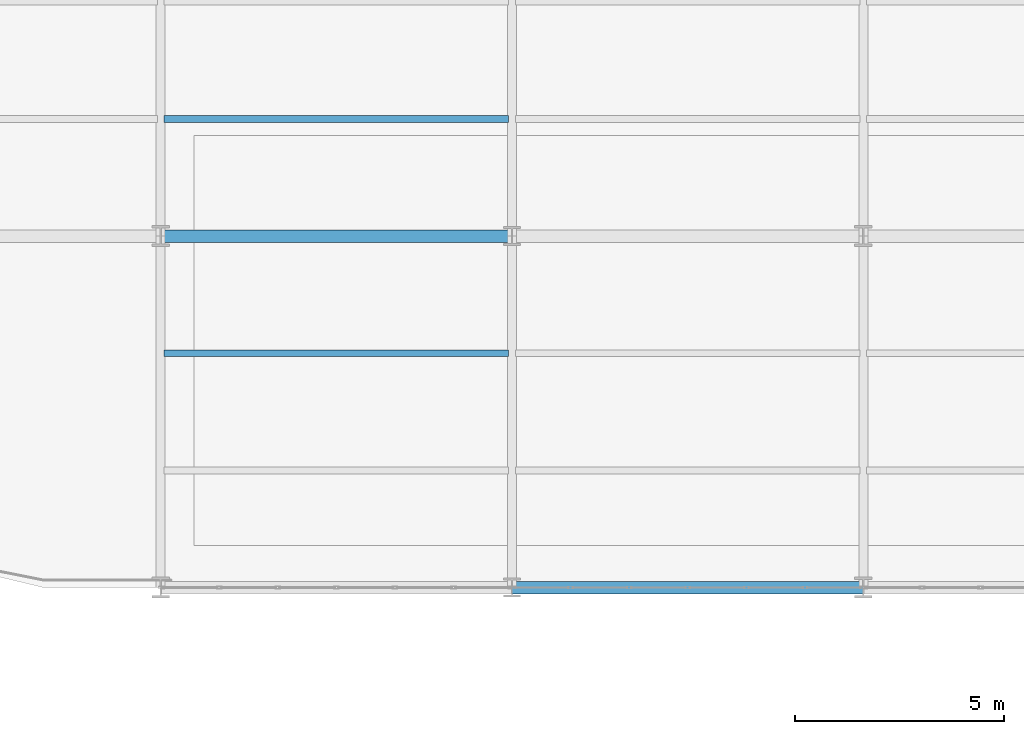
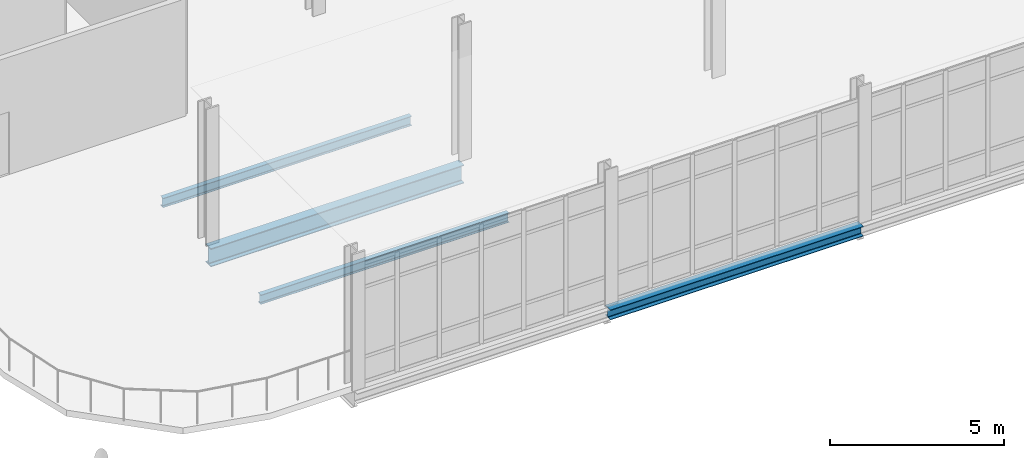
# One storey, part 74 of 145: 4 beams.
"""IFC4 building model written with IfcOpenShell, lengths in metres."""

from ifc_helpers import new_model, si_unit, direction, frame, origin, origin_2d, place, context, subcontext, project, spatial, i_section, extrude, material, material_profile, profile_set, type_object, element, save


model = new_model("IFC4")

# Units and contexts
model_context = context("Model", 3, precision=1e-05, world=origin(), true_north=direction((0.0, 1.0)))
body_context = subcontext(model_context, "Body", "Model", "MODEL_VIEW")
ifc_project = project(units=[si_unit("LENGTHUNIT", "METRE"), si_unit("AREAUNIT", "SQUARE_METRE"), si_unit("VOLUMEUNIT", "CUBIC_METRE"), si_unit("PLANEANGLEUNIT", "RADIAN"), si_unit("MASSUNIT", "GRAM", prefix="KILO")], contexts=[model_context])

# Site, building, storey
site_placement = place(None, origin())
site = spatial("IfcSite", under=ifc_project, at=site_placement, CompositionType="ELEMENT")
building_placement = place(site_placement, origin())
building = spatial("IfcBuilding", under=site, at=building_placement, Name="Qalvenar Corner Mobility Hub", CompositionType="ELEMENT")
storey_placement = place(building_placement, origin())
storey = spatial("IfcBuildingStorey", under=building, at=storey_placement, Name="L00", CompositionType="ELEMENT", Elevation=0.0)

# Beams
ifc_material = material(Name="Steel S355", Category="steel")
ifc_material_profile_1 = material_profile(ifc_material, i_section(OverallWidth=0.300048828125, OverallDepth=0.639892578125, WebThickness=0.013427734375, FlangeThickness=0.02587890625, FilletRadius=0.027099609375, at=origin_2d()), Name="HEA650")
ifc_profile_set_1 = profile_set([ifc_material_profile_1], Name="Steel S355")
beam_type_1 = type_object("IfcBeamType", Name="BM-HEA650", PredefinedType="BEAM", material=ifc_profile_set_1)
beam_1_placement = place(storey_placement, frame((67.199951171875, 75.60009765625, -0.5400390625), z_axis=(1.0, 0.0, 0.0), x_axis=(0.0, 1.0, 0.0)))
element("IfcBeam", 1, at=beam_1_placement, inside=storey, type_object=beam_type_1, Name="Primary Steel Girder GX-0532", PredefinedType="BEAM", context=body_context, shape_type="SweptSolid", body=[
    extrude(i_section(OverallWidth=0.300048828125, OverallDepth=0.639892578125, WebThickness=0.013427734375, FlangeThickness=0.02587890625, FilletRadius=0.027099609375, at=origin_2d()), origin(), (0.0, 0.0, 1.0), 8.400146484375),
])
ifc_material_profile_2 = material_profile(ifc_material, i_section(OverallWidth=0.159912109375, OverallDepth=0.330078125, WebThickness=0.007568359375, FlangeThickness=0.011474609375, FilletRadius=0.01806640625, at=origin_2d()), Name="IPE330")
ifc_profile_set_2 = profile_set([ifc_material_profile_2], Name="Steel S355")
beam_type_2 = type_object("IfcBeamType", Name="BM-JST330", PredefinedType="JOIST", material=ifc_profile_set_2)
for number, where, z_axis, x_axis, name in (
    (2, (67.278076171875, 72.800048828125, -0.385009765625), (1.0, 0.0, 0.0), (0.0, 1.0, 0.0), "Composite Floor Joist J-0658"),
    (3, (67.278076171875, 78.39990234375, -0.385009765625), (1.0, 0.0, 0.0), (0.0, 1.0, 0.0), "Composite Floor Joist J-0659"),
):
    element("IfcBeam", number, at=place(storey_placement, frame(where, z_axis=z_axis, x_axis=x_axis)), inside=storey, type_object=beam_type_2, Name=name, PredefinedType="JOIST", context=body_context, shape_type="SweptSolid", body=[
        extrude(i_section(OverallWidth=0.159912109375, OverallDepth=0.330078125, WebThickness=0.007568359375, FlangeThickness=0.011474609375, FilletRadius=0.01806640625, at=origin_2d()), origin(), (0.0, 0.0, 1.0), 8.243896484375),
    ])
ifc_material_profile_3 = material_profile(ifc_material, i_section(OverallWidth=0.300048828125, OverallDepth=0.35009765625, WebThickness=0.010009765625, FlangeThickness=0.017578125, FilletRadius=0.027099609375, at=origin_2d()), Name="HEA360")
ifc_profile_set_3 = profile_set([ifc_material_profile_3], Name="Steel S355")
beam_type_3 = type_object("IfcBeamType", Name="BM-SPN360", PredefinedType="SPANDREL", material=ifc_profile_set_3)
beam_2_placement = place(storey_placement, frame((75.60009765625, 67.199951171875, -0.39501953125), z_axis=(1.0, 0.0, 0.0), x_axis=(0.0, 1.0, 0.0)))
element("IfcBeam", 4, at=beam_2_placement, inside=storey, type_object=beam_type_3, Name="Primary Steel Girder GX-0524", PredefinedType="SPANDREL", context=body_context, shape_type="SweptSolid", body=[
    extrude(i_section(OverallWidth=0.300048828125, OverallDepth=0.35009765625, WebThickness=0.010009765625, FlangeThickness=0.017578125, FilletRadius=0.027099609375, at=origin_2d()), origin(), (0.0, 0.0, 1.0), 8.39990234375),
])

save(model, "model.ifc")
